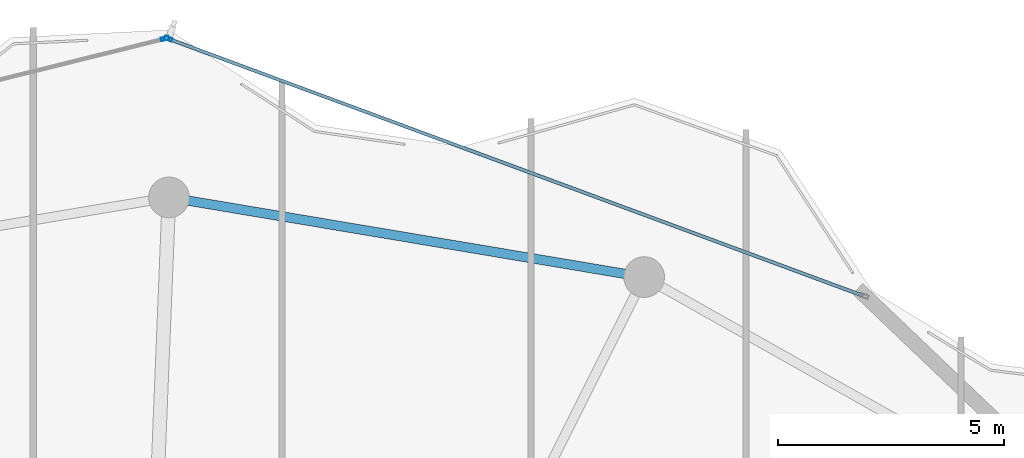
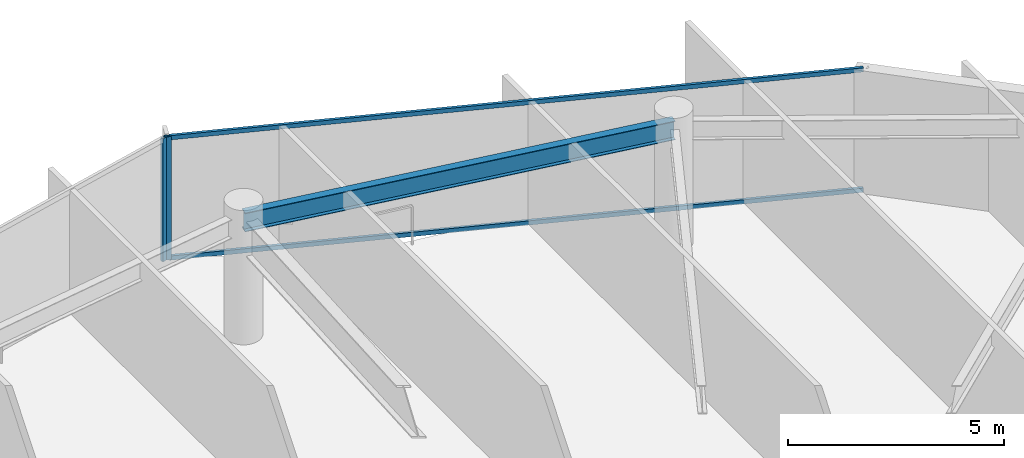
# One storey, part 21 of 29: 4 members, 1 beam, 2 elements without a shape of their own.
"""IFC4 building model written with IfcOpenShell, lengths in metres."""

from ifc_helpers import new_model, si_unit, direction, frame, origin, origin_2d, place, context, subcontext, project, spatial, hollow_rectangle, i_section, extrude, material, layer, layer_set, material_profile, profile_set, type_object, element, aggregate, save


model = new_model("IFC4")

# Units and contexts
model_context = context("Model", 3, precision=1e-05, world=origin(), true_north=direction((0.0, 1.0)))
body_context = subcontext(model_context, "Body", "Model", "MODEL_VIEW")
ifc_project = project(units=[si_unit("LENGTHUNIT", "METRE"), si_unit("AREAUNIT", "SQUARE_METRE"), si_unit("VOLUMEUNIT", "CUBIC_METRE"), si_unit("PLANEANGLEUNIT", "RADIAN"), si_unit("MASSUNIT", "GRAM", prefix="KILO")], contexts=[model_context])

# Site, building, storey
site_placement = place(None, origin())
site = spatial("IfcSite", under=ifc_project, at=site_placement, CompositionType="ELEMENT")
building_placement = place(site_placement, origin())
building = spatial("IfcBuilding", under=site, at=building_placement, Name="Kazevale Care Tower and Concert Hall", CompositionType="ELEMENT")
storey_placement = place(building_placement, frame((0.0, 0.0, 289.0)))
storey = spatial("IfcBuildingStorey", under=building, at=storey_placement, Name="L76", CompositionType="ELEMENT", Elevation=289.0)

# Curtain wall, members
ifc_material_1 = material(Name="Aluminium 6063-T6 and Low-E Glass", Category="aluminium")
ifc_layer_1 = layer(ifc_material_1, 0.179931640625)
ifc_layer_set_1 = layer_set([ifc_layer_1], Name="Aluminium 6063-T6 and Low-E Glass")
curtain_wall_type_1 = type_object("IfcCurtainWallType", Name="Convex Checkerboard Finned Curtain Wall CW-2", PredefinedType="NOTDEFINED", material=ifc_layer_set_1)
curtain_wall_1_placement = place(storey_placement, origin())
curtain_wall_1 = element("IfcCurtainWall", 1, at=curtain_wall_1_placement, inside=storey, type_object=curtain_wall_type_1, Name="cw:L76:f16", PredefinedType="NOTDEFINED")
ifc_material_2 = material(Name="Aluminium 6063-T6", Category="aluminium")
ifc_material_profile_1 = material_profile(ifc_material_2, hollow_rectangle(XDim=0.080078125, YDim=0.179931640625, WallThickness=0.0048828125, at=origin_2d()), Name="ALU80x180x5")
ifc_profile_set_1 = profile_set([ifc_material_profile_1], Name="Aluminium 6063-T6")
member_type_1 = type_object("IfcMemberType", Name="CW-2 Mullion ALU80x180x5", PredefinedType="MULLION", material=ifc_profile_set_1)
member_1_placement = place(storey_placement, frame((44.988525390625, 64.653076171875, 0.0), z_axis=(0.0, 0.0, 1.0), x_axis=(0.346863695471, 0.937915548844, 0.0)))
member_1 = element("IfcMember", 2, at=member_1_placement, type_object=member_type_1, Name="CW-2 mullion 1", PredefinedType="MULLION", context=body_context, shape_type="SweptSolid", body=[
    extrude(hollow_rectangle(XDim=0.080078125, YDim=0.179931640625, WallThickness=0.0048828125, at=origin_2d()), origin(), (0.0, 0.0, 1.0), 3.47998046875),
])
ifc_material_profile_2 = material_profile(ifc_material_2, hollow_rectangle(XDim=0.074951171875, YDim=0.1201171875, WallThickness=0.00390625, at=origin_2d()), Name="ALU75x120x4")
ifc_profile_set_2 = profile_set([ifc_material_profile_2], Name="Aluminium 6063-T6")
member_type_2 = type_object("IfcMemberType", Name="CW-2 Transom ALU75x120x4", PredefinedType="USERDEFINED", material=ifc_profile_set_2)
member_2_placement = place(storey_placement, frame((45.026123046875, 64.63916015625, 0.03759765625), z_axis=(0.937917384062, -0.346858733024, 0.0), x_axis=(0.346858733024, 0.937917384062, 0.0)))
member_2 = element("IfcMember", 3, at=member_2_placement, type_object=member_type_2, Name="CW-2 transom 1.1", ObjectType="TRANSOM", PredefinedType="USERDEFINED", context=body_context, shape_type="SweptSolid", body=[
    extrude(hollow_rectangle(XDim=0.074951171875, YDim=0.1201171875, WallThickness=0.00390625, at=origin_2d()), origin(), (0.0, 0.0, 1.0), 16.319091796875),
])
member_3_placement = place(storey_placement, frame((45.026123046875, 64.63916015625, 3.4423828125), z_axis=(0.937917384062, -0.346858733024, 0.0), x_axis=(0.346858733024, 0.937917384062, 0.0)))
member_3 = element("IfcMember", 4, at=member_3_placement, type_object=member_type_2, Name="CW-2 transom 1.2", ObjectType="TRANSOM", PredefinedType="USERDEFINED", context=body_context, shape_type="SweptSolid", body=[
    extrude(hollow_rectangle(XDim=0.074951171875, YDim=0.1201171875, WallThickness=0.00390625, at=origin_2d()), origin(), (0.0, 0.0, 1.0), 16.319091796875),
])
aggregate(curtain_wall_1, [member_1, member_2, member_3])

# Curtain wall, member
ifc_layer_2 = layer(ifc_material_1, 0.179931640625)
ifc_layer_set_2 = layer_set([ifc_layer_2], Name="Aluminium 6063-T6 and Low-E Glass")
curtain_wall_type_2 = type_object("IfcCurtainWallType", Name="Waist & Upper Residential Curtain Wall CW-4", PredefinedType="NOTDEFINED", material=ifc_layer_set_2)
curtain_wall_2_placement = place(storey_placement, origin())
curtain_wall_2 = element("IfcCurtainWall", 5, at=curtain_wall_2_placement, inside=storey, type_object=curtain_wall_type_2, Name="cw:L76:f15", PredefinedType="NOTDEFINED")
ifc_material_profile_3 = material_profile(ifc_material_2, hollow_rectangle(XDim=0.080078125, YDim=0.179931640625, WallThickness=0.0048828125, at=origin_2d()), Name="ALU80x180x5")
ifc_profile_set_3 = profile_set([ifc_material_profile_3], Name="Aluminium 6063-T6")
member_type_3 = type_object("IfcMemberType", Name="CW-4 Mullion ALU80x180x5", PredefinedType="MULLION", material=ifc_profile_set_3)
member_4_placement = place(storey_placement, frame((44.912109375, 64.657470703125, 0.0), z_axis=(0.0, 0.0, 1.0), x_axis=(-0.240891158711, 0.970552136495, 0.0)))
member_4 = element("IfcMember", 6, at=member_4_placement, type_object=member_type_3, Name="CW-4 mullion 2", PredefinedType="MULLION", context=body_context, shape_type="SweptSolid", body=[
    extrude(hollow_rectangle(XDim=0.080078125, YDim=0.179931640625, WallThickness=0.0048828125, at=origin_2d()), origin(), (0.0, 0.0, 1.0), 3.47998046875),
])
aggregate(curtain_wall_2, [member_4])

# Beam
ifc_material_3 = material(Name="Steel ASTM A572 Gr 50", Category="steel")
ifc_material_profile_4 = material_profile(ifc_material_3, i_section(OverallWidth=0.208984375, OverallDepth=0.532958984375, WebThickness=0.01025390625, FlangeThickness=0.015625, at=origin_2d()), Name="W530x92")
ifc_profile_set_4 = profile_set([ifc_material_profile_4], Name="Steel ASTM A572 Gr 50")
beam_type = type_object("IfcBeamType", Name="Upper Ring Beam W530x92", PredefinedType="BEAM", material=ifc_profile_set_4)
beam_placement = place(storey_placement, frame((55.5, 59.389892578125, 3.21337890625), z_axis=(-0.986241035683, 0.165313700387, 0.0), x_axis=(-0.165313700387, -0.986241035683, 0.0)))
element("IfcBeam", 7, at=beam_placement, inside=storey, type_object=beam_type, Name="beam:L76:ring:04", PredefinedType="BEAM", context=body_context, shape_type="SweptSolid", body=[
    extrude(i_section(OverallWidth=0.208984375, OverallDepth=0.532958984375, WebThickness=0.01025390625, FlangeThickness=0.015625, at=origin_2d()), origin(), (0.0, 0.0, 1.0), 10.646484375),
])

save(model, "model.ifc")
